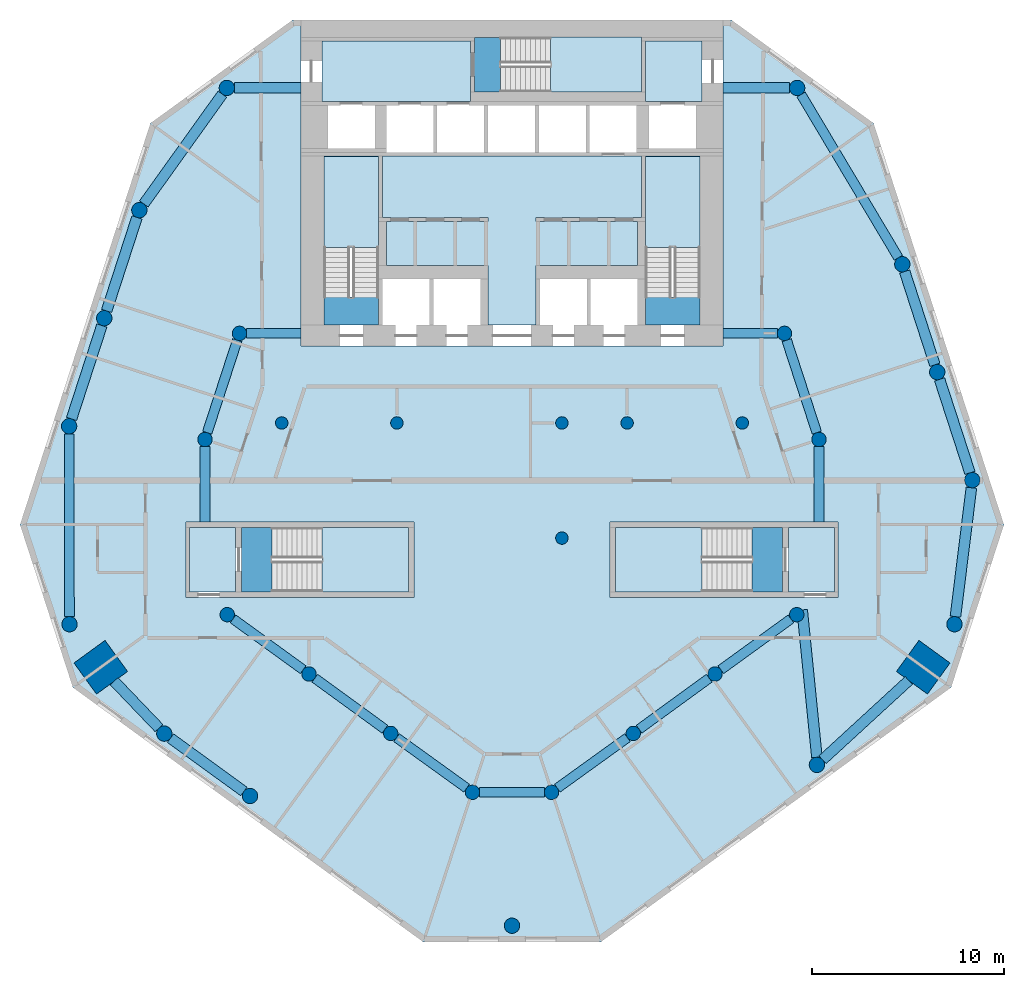
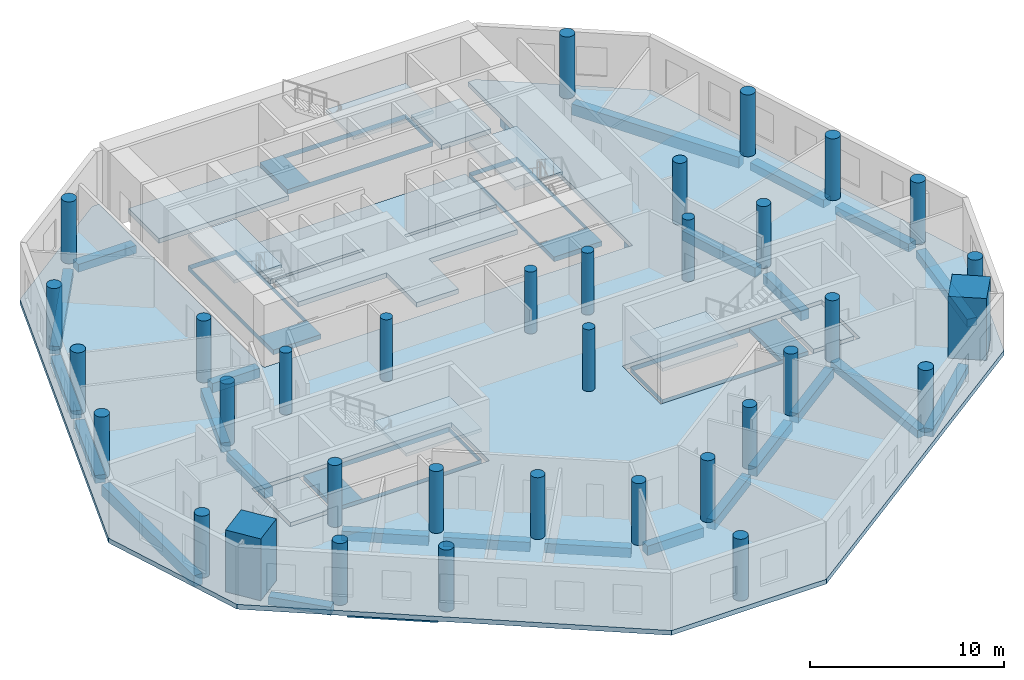
# One storey, part 1 of 9: 34 columns, 27 beams, 16 slabs, 5 elements without a shape of their own.
"""IFC4 building model written with IfcOpenShell, lengths in metres."""

from ifc_helpers import new_model, si_unit, direction, frame, origin, origin_2d, place, context, subcontext, project, spatial, polyline, rectangle, circle, outline, extrude, material, layer, layer_set, material_profile, profile_set, type_object, element, aggregate, save


model = new_model("IFC4")

# Units and contexts
model_context = context("Model", 3, precision=1e-05, world=origin(), true_north=direction((0.0, 1.0)))
body_context = subcontext(model_context, "Body", "Model", "MODEL_VIEW")
ifc_project = project(units=[si_unit("LENGTHUNIT", "METRE"), si_unit("AREAUNIT", "SQUARE_METRE"), si_unit("VOLUMEUNIT", "CUBIC_METRE"), si_unit("PLANEANGLEUNIT", "RADIAN"), si_unit("MASSUNIT", "GRAM", prefix="KILO")], contexts=[model_context])

# Site, building, storey
site_placement = place(None, origin())
site = spatial("IfcSite", under=ifc_project, at=site_placement, CompositionType="ELEMENT")
building_placement = place(site_placement, origin())
building = spatial("IfcBuilding", under=site, at=building_placement, Name="White Candle Pilgrim Tower", CompositionType="ELEMENT")
storey_placement = place(building_placement, frame((0.0, 0.0, 129.800048828125)))
storey = spatial("IfcBuildingStorey", under=building, at=storey_placement, Name="L29", CompositionType="ELEMENT", Elevation=129.800048828125)

# Columns
ifc_material_1 = material(Name="Concrete C80/95", Category="concrete")
ifc_material_profile_1 = material_profile(ifc_material_1, circle(Radius=0.324951171875, at=origin_2d()), Name="RC-COL D650")
ifc_profile_set_1 = profile_set([ifc_material_profile_1], Name="Concrete C80/95")
column_type_1 = type_object("IfcColumnType", Name="Interior column RC-COL D650 C80/95", PredefinedType="COLUMN", material=ifc_profile_set_1)
for number, where, z_axis, x_axis, name in (
    (1, (58.0, 67.0, 0.0), (0.0, 0.0, 1.0), (1.0, 0.0, 0.0), "L29 column I01"),
    (2, (64.0, 67.0, 0.0), (0.0, 0.0, 1.0), (1.0, 0.0, 0.0), "L29 column I02"),
    (3, (72.60009765625, 61.0, 0.0), (0.0, 0.0, 1.0), (1.0, 0.0, 0.0), "L29 column I03"),
    (4, (72.60009765625, 67.0, 0.0), (0.0, 0.0, 1.0), (1.0, 0.0, 0.0), "L29 column I04"),
    (5, (76.0, 67.0, 0.0), (0.0, 0.0, 1.0), (1.0, 0.0, 0.0), "L29 column I05"),
    (6, (82.0, 67.0, 0.0), (0.0, 0.0, 1.0), (1.0, 0.0, 0.0), "L29 column I06"),
):
    element("IfcColumn", number, at=place(storey_placement, frame(where, z_axis=z_axis, x_axis=x_axis)), inside=storey, type_object=column_type_1, Name=name, PredefinedType="COLUMN", context=body_context, shape_type="SweptSolid", body=[
        extrude(circle(Radius=0.324951171875, at=origin_2d()), origin(), (0.0, 0.0, 1.0), 3.89990234375),
    ])
ifc_material_profile_2 = material_profile(ifc_material_1, rectangle(XDim=2.0, YDim=2.0, at=origin_2d()), Name="RC 2000x2000")
ifc_profile_set_2 = profile_set([ifc_material_profile_2], Name="Concrete C80/95")
column_type_2 = type_object("IfcColumnType", Name="Mega column RC 2000x2000 C80/95", PredefinedType="COLUMN", material=ifc_profile_set_2)
for number, where, z_axis, x_axis, name in (
    (7, (48.570068359375, 54.27001953125, 0.0), (0.0, 0.0, 1.0), (-0.809016994375, -0.587785252292, 0.0), "L29 mega column T02"),
    (8, (91.429931640625, 54.27001953125, 0.0), (0.0, 0.0, 1.0), (0.809016994375, -0.587785252292, 0.0), "L29 mega column T07"),
):
    element("IfcColumn", number, at=place(storey_placement, frame(where, z_axis=z_axis, x_axis=x_axis)), inside=storey, type_object=column_type_2, Name=name, PredefinedType="COLUMN", context=body_context, shape_type="SweptSolid", body=[
        extrude(rectangle(XDim=2.0, YDim=2.0, at=origin_2d()), origin(), (0.0, 0.0, 1.0), 3.89990234375),
    ])
ifc_material_profile_3 = material_profile(ifc_material_1, circle(Radius=0.39990234375, at=origin_2d()), Name="RC-COL D800")
ifc_profile_set_3 = profile_set([ifc_material_profile_3], Name="Concrete C80/95")
column_type_3 = type_object("IfcColumnType", Name="Perimeter column RC-COL D800 C80/95", PredefinedType="COLUMN", material=ifc_profile_set_3)
for number, where, z_axis, x_axis, name in (
    (9, (46.93994140625, 56.510009765625, 0.0), (0.0, 0.0, 1.0), (1.0, 0.0, 0.0), "L29 column T01"),
    (10, (51.8798828125, 50.81005859375, 0.0), (0.0, 0.0, 1.0), (1.0, 0.0, 0.0), "L29 column T03"),
    (11, (56.35009765625, 47.56005859375, 0.0), (0.0, 0.0, 1.0), (1.0, 0.0, 0.0), "L29 column T04"),
    (12, (70.0, 40.800048828125, 0.0), (0.0, 0.0, 1.0), (1.0, 0.0, 0.0), "L29 column T05"),
    (13, (85.889892578125, 49.179931640625, 0.0), (0.0, 0.0, 1.0), (1.0, 0.0, 0.0), "L29 column T06"),
    (14, (93.06005859375, 56.510009765625, 0.0), (0.0, 0.0, 1.0), (1.0, 0.0, 0.0), "L29 column T08"),
    (15, (93.989990234375, 64.02001953125, 0.0), (0.0, 0.0, 1.0), (1.0, 0.0, 0.0), "L29 column T09"),
    (16, (92.159912109375, 69.64990234375, 0.0), (0.0, 0.0, 1.0), (1.0, 0.0, 0.0), "L29 column T10"),
    (17, (90.340087890625, 75.27001953125, 0.0), (0.0, 0.0, 1.0), (1.0, 0.0, 0.0), "L29 column T11"),
    (18, (84.860107421875, 84.4599609375, 0.0), (0.0, 0.0, 1.0), (1.0, 0.0, 0.0), "L29 column T12"),
    (19, (55.139892578125, 84.4599609375, 0.0), (0.0, 0.0, 1.0), (1.0, 0.0, 0.0), "L29 column T13"),
    (20, (50.580078125, 78.090087890625, 0.0), (0.0, 0.0, 1.0), (1.0, 0.0, 0.0), "L29 column T14"),
    (21, (48.75, 72.4599609375, 0.0), (0.0, 0.0, 1.0), (1.0, 0.0, 0.0), "L29 column T15"),
    (22, (46.919921875, 66.830078125, 0.0), (0.0, 0.0, 1.0), (1.0, 0.0, 0.0), "L29 column T16"),
):
    element("IfcColumn", number, at=place(storey_placement, frame(where, z_axis=z_axis, x_axis=x_axis)), inside=storey, type_object=column_type_3, Name=name, PredefinedType="COLUMN", context=body_context, shape_type="SweptSolid", body=[
        extrude(circle(Radius=0.39990234375, at=origin_2d()), origin(), (0.0, 0.0, 1.0), 3.89990234375),
    ])
ifc_material_profile_4 = material_profile(ifc_material_1, circle(Radius=0.375, at=origin_2d()), Name="RC-COL D750")
ifc_profile_set_4 = profile_set([ifc_material_profile_4], Name="Concrete C80/95")
column_type_4 = type_object("IfcColumnType", Name="Ring column RC-COL D750 C80/95", PredefinedType="COLUMN", material=ifc_profile_set_4)
for number, where, z_axis, x_axis, name in (
    (23, (55.159912109375, 57.010009765625, 0.0), (0.0, 0.0, 1.0), (1.0, 0.0, 0.0), "L29 column R01"),
    (24, (59.419921875, 53.919921875, 0.0), (0.0, 0.0, 1.0), (1.0, 0.0, 0.0), "L29 column R02"),
    (25, (63.679931640625, 50.820068359375, 0.0), (0.0, 0.0, 1.0), (1.0, 0.0, 0.0), "L29 column R03"),
    (26, (67.93994140625, 47.75, 0.0), (0.0, 0.0, 1.0), (1.0, 0.0, 0.0), "L29 column R04"),
    (27, (72.06005859375, 47.75, 0.0), (0.0, 0.0, 1.0), (1.0, 0.0, 0.0), "L29 column R05"),
    (28, (76.320068359375, 50.820068359375, 0.0), (0.0, 0.0, 1.0), (1.0, 0.0, 0.0), "L29 column R06"),
    (29, (80.580078125, 53.919921875, 0.0), (0.0, 0.0, 1.0), (1.0, 0.0, 0.0), "L29 column R07"),
    (30, (84.840087890625, 57.010009765625, 0.0), (0.0, 0.0, 1.0), (1.0, 0.0, 0.0), "L29 column R08"),
    (31, (86.0, 66.139892578125, 0.0), (0.0, 0.0, 1.0), (1.0, 0.0, 0.0), "L29 column R09"),
    (32, (84.199951171875, 71.669921875, 0.0), (0.0, 0.0, 1.0), (1.0, 0.0, 0.0), "L29 column R10"),
    (33, (55.800048828125, 71.669921875, 0.0), (0.0, 0.0, 1.0), (1.0, 0.0, 0.0), "L29 column R11"),
    (34, (54.0, 66.139892578125, 0.0), (0.0, 0.0, 1.0), (1.0, 0.0, 0.0), "L29 column R12"),
):
    element("IfcColumn", number, at=place(storey_placement, frame(where, z_axis=z_axis, x_axis=x_axis)), inside=storey, type_object=column_type_4, Name=name, PredefinedType="COLUMN", context=body_context, shape_type="SweptSolid", body=[
        extrude(circle(Radius=0.375, at=origin_2d()), origin(), (0.0, 0.0, 1.0), 3.89990234375),
    ])

# Beams
ifc_material_2 = material(Name="Concrete C50/60", Category="concrete")
ifc_material_profile_5 = material_profile(ifc_material_2, rectangle(XDim=0.5, YDim=0.60009765625, at=origin_2d()), Name="RC-BM 500x600")
ifc_profile_set_5 = profile_set([ifc_material_profile_5], Name="Concrete C50/60")
beam_type_1 = type_object("IfcBeamType", Name="Ring beam RC-BM 500x600 C50/60", PredefinedType="BEAM", material=ifc_profile_set_5)
beam_1_placement = place(storey_placement, frame((55.46337890625, 56.789794921875, -0.60009765625), z_axis=(0.809505029053, -0.587112943084, 0.0), x_axis=(0.587112943084, 0.809505029053, 0.0)))
element("IfcBeam", 35, at=beam_1_placement, inside=storey, type_object=beam_type_1, Name="L29 ring beam R01", PredefinedType="BEAM", context=body_context, shape_type="SweptSolid", body=[
    extrude(rectangle(XDim=0.5, YDim=0.60009765625, at=origin_2d()), origin(), (0.0, 0.0, 1.0), 4.512939453125),
])
beam_2_placement = place(storey_placement, frame((59.72314453125, 53.699462890625, -0.60009765625), z_axis=(0.808565500751, -0.588406178583, 0.0), x_axis=(0.588406178583, 0.808565500751, 0.0)))
element("IfcBeam", 36, at=beam_2_placement, inside=storey, type_object=beam_type_1, Name="L29 ring beam R02", PredefinedType="BEAM", context=body_context, shape_type="SweptSolid", body=[
    extrude(rectangle(XDim=0.5, YDim=0.60009765625, at=origin_2d()), origin(), (0.0, 0.0, 1.0), 4.518798828125),
])
beam_3_placement = place(storey_placement, frame((63.984130859375, 50.600830078125, -0.60009765625), z_axis=(0.811270905805, -0.584670434856, 0.0), x_axis=(0.584670434856, 0.811270905805, 0.0)))
element("IfcBeam", 37, at=beam_3_placement, inside=storey, type_object=beam_type_1, Name="L29 ring beam R03", PredefinedType="BEAM", context=body_context, shape_type="SweptSolid", body=[
    extrude(rectangle(XDim=0.5, YDim=0.60009765625, at=origin_2d()), origin(), (0.0, 0.0, 1.0), 4.50146484375),
])
beam_4_placement = place(storey_placement, frame((68.31494140625, 47.75, -0.60009765625), z_axis=(1.0, 0.0, 0.0), x_axis=(0.0, 1.0, 0.0)))
element("IfcBeam", 38, at=beam_4_placement, inside=storey, type_object=beam_type_1, Name="L29 ring beam R04", PredefinedType="BEAM", context=body_context, shape_type="SweptSolid", body=[
    extrude(rectangle(XDim=0.5, YDim=0.60009765625, at=origin_2d()), origin(), (0.0, 0.0, 1.0), 3.3701171875),
])
beam_5_placement = place(storey_placement, frame((72.364013671875, 47.968994140625, -0.60009765625), z_axis=(0.811270905805, 0.584670434856, 0.0), x_axis=(-0.584670434856, 0.811270905805, 0.0)))
element("IfcBeam", 39, at=beam_5_placement, inside=storey, type_object=beam_type_1, Name="L29 ring beam R05", PredefinedType="BEAM", context=body_context, shape_type="SweptSolid", body=[
    extrude(rectangle(XDim=0.5, YDim=0.60009765625, at=origin_2d()), origin(), (0.0, 0.0, 1.0), 4.50146484375),
])
beam_6_placement = place(storey_placement, frame((76.623046875, 51.04052734375, -0.60009765625), z_axis=(0.808565500751, 0.588406178583, 0.0), x_axis=(-0.588406178583, 0.808565500751, 0.0)))
element("IfcBeam", 40, at=beam_6_placement, inside=storey, type_object=beam_type_1, Name="L29 ring beam R06", PredefinedType="BEAM", context=body_context, shape_type="SweptSolid", body=[
    extrude(rectangle(XDim=0.5, YDim=0.60009765625, at=origin_2d()), origin(), (0.0, 0.0, 1.0), 4.518798828125),
])
beam_7_placement = place(storey_placement, frame((80.88330078125, 54.14013671875, -0.60009765625), z_axis=(0.809505029053, 0.587112943084, 0.0), x_axis=(-0.587112943084, 0.809505029053, 0.0)))
element("IfcBeam", 41, at=beam_7_placement, inside=storey, type_object=beam_type_1, Name="L29 ring beam R07", PredefinedType="BEAM", context=body_context, shape_type="SweptSolid", body=[
    extrude(rectangle(XDim=0.5, YDim=0.60009765625, at=origin_2d()), origin(), (0.0, 0.0, 1.0), 4.512939453125),
])
beam_8_placement = place(storey_placement, frame((86.0, 65.764892578125, -0.60009765625), z_axis=(0.0, -1.0, 0.0), x_axis=(1.0, 0.0, 0.0)))
element("IfcBeam", 42, at=beam_8_placement, inside=storey, type_object=beam_type_1, Name="L29 ring beam R08", PredefinedType="BEAM", context=body_context, shape_type="SweptSolid", body=[
    extrude(rectangle(XDim=0.5, YDim=0.60009765625, at=origin_2d()), origin(), (0.0, 0.0, 1.0), 3.914794921875),
])
beam_9_placement = place(storey_placement, frame((85.884033203125, 66.49658203125, -0.60009765625), z_axis=(-0.309554632353, 0.950881659087, 0.0), x_axis=(-0.950881659087, -0.309554632353, 0.0)))
element("IfcBeam", 43, at=beam_9_placement, inside=storey, type_object=beam_type_1, Name="L29 ring beam R09", PredefinedType="BEAM", context=body_context, shape_type="SweptSolid", body=[
    extrude(rectangle(XDim=0.5, YDim=0.60009765625, at=origin_2d()), origin(), (0.0, 0.0, 1.0), 5.065673828125),
])
for number, where, z_axis, x_axis, name in (
    (44, (83.824951171875, 71.669921875, -0.60009765625), (-1.0, 0.0, 0.0), (0.0, -1.0, 0.0), "L29 ring beam R10"),
    (45, (56.175048828125, 71.669921875, -0.60009765625), (1.0, 0.0, 0.0), (0.0, 1.0, 0.0), "L29 ring beam R11"),
):
    element("IfcBeam", number, at=place(storey_placement, frame(where, z_axis=z_axis, x_axis=x_axis)), inside=storey, type_object=beam_type_1, Name=name, PredefinedType="BEAM", context=body_context, shape_type="SweptSolid", body=[
        extrude(rectangle(XDim=0.5, YDim=0.60009765625, at=origin_2d()), origin(), (0.0, 0.0, 1.0), 2.824951171875),
    ])
beam_10_placement = place(storey_placement, frame((55.68408203125, 71.3134765625, -0.60009765625), z_axis=(-0.309554632353, -0.950881659087, 0.0), x_axis=(0.950881659087, -0.309554632353, 0.0)))
element("IfcBeam", 46, at=beam_10_placement, inside=storey, type_object=beam_type_1, Name="L29 ring beam R12", PredefinedType="BEAM", context=body_context, shape_type="SweptSolid", body=[
    extrude(rectangle(XDim=0.5, YDim=0.60009765625, at=origin_2d()), origin(), (0.0, 0.0, 1.0), 5.065673828125),
])
beam_11_placement = place(storey_placement, frame((54.0, 65.764892578125, -0.60009765625), z_axis=(0.0, -1.0, 0.0), x_axis=(1.0, 0.0, 0.0)))
element("IfcBeam", 47, at=beam_11_placement, inside=storey, type_object=beam_type_1, Name="L29 ring beam R13", PredefinedType="BEAM", context=body_context, shape_type="SweptSolid", body=[
    extrude(rectangle(XDim=0.5, YDim=0.60009765625, at=origin_2d()), origin(), (0.0, 0.0, 1.0), 3.914794921875),
])
ifc_material_profile_6 = material_profile(ifc_material_2, rectangle(XDim=0.5, YDim=0.699951171875, at=origin_2d()), Name="RC-BM 500x700")
ifc_profile_set_6 = profile_set([ifc_material_profile_6], Name="Concrete C50/60")
beam_type_2 = type_object("IfcBeamType", Name="Spandrel beam RC-BM 500x700 C50/60", PredefinedType="BEAM", material=ifc_profile_set_6)
beam_12_placement = place(storey_placement, frame((90.13525390625, 75.61328125, -0.650146484375), z_axis=(-0.51215480768, 0.858893155736, 0.0), x_axis=(-0.858893155736, -0.51215480768, 0.0)))
element("IfcBeam", 48, at=beam_12_placement, inside=storey, type_object=beam_type_2, Name="L29 spandrel beam T08", PredefinedType="BEAM", context=body_context, shape_type="SweptSolid", body=[
    extrude(rectangle(XDim=0.5, YDim=0.699951171875, at=origin_2d()), origin(), (0.0, 0.0, 1.0), 9.900390625),
])
beam_13_placement = place(storey_placement, frame((46.9208984375, 66.429931640625, -0.650146484375), z_axis=(0.001923369269, -0.999998150324, 0.0), x_axis=(0.999998150324, 0.001923369269, 0.0)))
element("IfcBeam", 49, at=beam_13_placement, inside=storey, type_object=beam_type_2, Name="L29 spandrel beam T14", PredefinedType="BEAM", context=body_context, shape_type="SweptSolid", body=[
    extrude(rectangle(XDim=0.5, YDim=0.699951171875, at=origin_2d()), origin(), (0.0, 0.0, 1.0), 9.52001953125),
])
ifc_material_profile_7 = material_profile(ifc_material_2, rectangle(XDim=0.550048828125, YDim=0.5, at=origin_2d()), Name="RC-BM 550x500")
ifc_profile_set_7 = profile_set([ifc_material_profile_7], Name="Concrete C50/60")
beam_type_3 = type_object("IfcBeamType", Name="Spandrel beam RC-BM 550x500 C50/60", PredefinedType="BEAM", material=ifc_profile_set_7)
beam_14_placement = place(storey_placement, frame((49.267578125, 53.540771484375, -0.550048828125), z_axis=(0.6912554522, -0.722610475847, 0.0), x_axis=(0.722610475847, 0.6912554522, 0.0)))
element("IfcBeam", 50, at=beam_14_placement, inside=storey, type_object=beam_type_3, Name="L29 spandrel beam T01", PredefinedType="BEAM", context=body_context, shape_type="SweptSolid", body=[
    extrude(rectangle(XDim=0.550048828125, YDim=0.5, at=origin_2d()), origin(), (0.0, 0.0, 1.0), 3.379150390625),
])
beam_15_placement = place(storey_placement, frame((52.203369140625, 50.574951171875, -0.550048828125), z_axis=(0.808812014489, -0.5880672795, 0.0), x_axis=(0.5880672795, 0.808812014489, 0.0)))
element("IfcBeam", 51, at=beam_15_placement, inside=storey, type_object=beam_type_3, Name="L29 spandrel beam T02", PredefinedType="BEAM", context=body_context, shape_type="SweptSolid", body=[
    extrude(rectangle(XDim=0.550048828125, YDim=0.5, at=origin_2d()), origin(), (0.0, 0.0, 1.0), 4.72705078125),
])
beam_16_placement = place(storey_placement, frame((85.889892578125, 49.580078125, -0.550048828125), z_axis=(-0.099547579937, 0.995032803142, 0.0), x_axis=(-0.995032803142, -0.099547579937, 0.0)))
element("IfcBeam", 52, at=beam_16_placement, inside=storey, type_object=beam_type_3, Name="L29 spandrel beam T03", PredefinedType="BEAM", context=body_context, shape_type="SweptSolid", body=[
    extrude(rectangle(XDim=0.550048828125, YDim=0.5, at=origin_2d()), origin(), (0.0, 0.0, 1.0), 7.715576171875),
])
beam_17_placement = place(storey_placement, frame((86.184326171875, 49.450439453125, -0.550048828125), z_axis=(0.736374917929, 0.67657370644, 0.0), x_axis=(-0.67657370644, 0.736374917929, 0.0)))
element("IfcBeam", 53, at=beam_17_placement, inside=storey, type_object=beam_type_3, Name="L29 spandrel beam T04", PredefinedType="BEAM", context=body_context, shape_type="SweptSolid", body=[
    extrude(rectangle(XDim=0.550048828125, YDim=0.5, at=origin_2d()), origin(), (0.0, 0.0, 1.0), 6.103271484375),
])
beam_18_placement = place(storey_placement, frame((93.109130859375, 56.906982421875, -0.550048828125), z_axis=(0.122911300598, 0.992417660154, 0.0), x_axis=(-0.992417660154, 0.122911300598, 0.0)))
element("IfcBeam", 54, at=beam_18_placement, inside=storey, type_object=beam_type_3, Name="L29 spandrel beam T05", PredefinedType="BEAM", context=body_context, shape_type="SweptSolid", body=[
    extrude(rectangle(XDim=0.550048828125, YDim=0.5, at=origin_2d()), origin(), (0.0, 0.0, 1.0), 6.767333984375),
])
beam_19_placement = place(storey_placement, frame((93.866455078125, 64.400390625, -0.550048828125), z_axis=(-0.309123808161, 0.95102180376, 0.0), x_axis=(-0.95102180376, -0.309123808161, 0.0)))
element("IfcBeam", 55, at=beam_19_placement, inside=storey, type_object=beam_type_3, Name="L29 spandrel beam T06", PredefinedType="BEAM", context=body_context, shape_type="SweptSolid", body=[
    extrude(rectangle(XDim=0.550048828125, YDim=0.5, at=origin_2d()), origin(), (0.0, 0.0, 1.0), 5.1201171875),
])
beam_20_placement = place(storey_placement, frame((92.036865234375, 70.030517578125, -0.550048828125), z_axis=(-0.308114253226, 0.951349361149, 0.0), x_axis=(-0.951349361149, -0.308114253226, 0.0)))
element("IfcBeam", 56, at=beam_20_placement, inside=storey, type_object=beam_type_3, Name="L29 spandrel beam T07", PredefinedType="BEAM", context=body_context, shape_type="SweptSolid", body=[
    extrude(rectangle(XDim=0.550048828125, YDim=0.5, at=origin_2d()), origin(), (0.0, 0.0, 1.0), 5.107666015625),
])
for number, where, z_axis, x_axis, name in (
    (57, (84.4599609375, 84.4599609375, -0.550048828125), (-1.0, 0.0, 0.0), (0.0, -1.0, 0.0), "L29 spandrel beam T09"),
    (58, (55.5400390625, 84.4599609375, -0.550048828125), (1.0, 0.0, 0.0), (0.0, 1.0, 0.0), "L29 spandrel beam T10"),
):
    element("IfcBeam", number, at=place(storey_placement, frame(where, z_axis=z_axis, x_axis=x_axis)), inside=storey, type_object=beam_type_3, Name=name, PredefinedType="BEAM", context=body_context, shape_type="SweptSolid", body=[
        extrude(rectangle(XDim=0.550048828125, YDim=0.5, at=origin_2d()), origin(), (0.0, 0.0, 1.0), 3.4599609375),
    ])
beam_21_placement = place(storey_placement, frame((54.9072265625, 84.135009765625, -0.550048828125), z_axis=(-0.582065224797, -0.813142099563, 0.0), x_axis=(0.813142099563, -0.582065224797, 0.0)))
element("IfcBeam", 59, at=beam_21_placement, inside=storey, type_object=beam_type_3, Name="L29 spandrel beam T11", PredefinedType="BEAM", context=body_context, shape_type="SweptSolid", body=[
    extrude(rectangle(XDim=0.550048828125, YDim=0.5, at=origin_2d()), origin(), (0.0, 0.0, 1.0), 7.034423828125),
])
for number, where, z_axis, x_axis, name in (
    (60, (50.456298828125, 77.709716796875, -0.550048828125), (-0.309123808161, -0.95102180376, 0.0), (0.95102180376, -0.309123808161, 0.0), "L29 spandrel beam T12"),
    (61, (48.62646484375, 72.07958984375, -0.550048828125), (-0.309123808161, -0.95102180376, 0.0), (0.95102180376, -0.309123808161, 0.0), "L29 spandrel beam T13"),
):
    element("IfcBeam", number, at=place(storey_placement, frame(where, z_axis=z_axis, x_axis=x_axis)), inside=storey, type_object=beam_type_3, Name=name, PredefinedType="BEAM", context=body_context, shape_type="SweptSolid", body=[
        extrude(rectangle(XDim=0.550048828125, YDim=0.5, at=origin_2d()), origin(), (0.0, 0.0, 1.0), 5.1201171875),
    ])

# Slabs
ifc_material_3 = material(Name="Concrete C40/50", Category="concrete")
ifc_layer_1 = layer(ifc_material_3, 0.300048828125)
ifc_layer_set_1 = layer_set([ifc_layer_1], Name="Core floor slab 300 mm Concrete C40/50")
slab_type_1 = type_object("IfcSlabType", Name="Core floor slab 300 mm Concrete C40/50", PredefinedType="FLOOR", material=ifc_layer_set_1)
slab_1_placement = place(storey_placement, frame((0.0, 0.0, -0.300048828125)))
element("IfcSlab", 62, at=slab_1_placement, inside=storey, type_object=slab_type_1, Name="CF-L29-01", PredefinedType="FLOOR", context=body_context, shape_type="SweptSolid", body=[
    extrude(outline(polyline([(55.60009765625, 58.199951171875), (53.199951171875, 58.199951171875), (53.199951171875, 61.550048828125), (55.60009765625, 61.550048828125), (55.60009765625, 58.199951171875)])), origin(), (0.0, 0.0, 1.0), 0.300048828125),
])
slab_2_placement = place(storey_placement, frame((0.0, 0.0, -0.300048828125)))
element("IfcSlab", 63, at=slab_2_placement, inside=storey, type_object=slab_type_1, Name="CF-L29-02", PredefinedType="FLOOR", context=body_context, shape_type="SweptSolid", body=[
    extrude(outline(polyline([(55.89990234375, 58.199951171875), (55.89990234375, 61.550048828125), (64.60009765625, 61.550048828125), (64.60009765625, 58.199951171875), (55.89990234375, 58.199951171875)]), holes=[polyline([(57.501953125, 61.548095703125), (57.501953125, 58.201904296875), (64.597900390625, 58.201904296875), (64.597900390625, 61.548095703125), (57.501953125, 61.548095703125)])]), origin(), (0.0, 0.0, 1.0), 0.300048828125),
])
slab_3_placement = place(storey_placement, frame((0.0, 0.0, -0.300048828125)))
element("IfcSlab", 64, at=slab_3_placement, inside=storey, type_object=slab_type_1, Name="CF-L29-03", PredefinedType="FLOOR", context=body_context, shape_type="SweptSolid", body=[
    extrude(outline(polyline([(75.39990234375, 58.199951171875), (75.39990234375, 61.550048828125), (84.10009765625, 61.550048828125), (84.10009765625, 58.199951171875), (75.39990234375, 58.199951171875)]), holes=[polyline([(82.498046875, 58.201904296875), (82.498046875, 61.548095703125), (75.402099609375, 61.548095703125), (75.402099609375, 58.201904296875), (82.498046875, 58.201904296875)])]), origin(), (0.0, 0.0, 1.0), 0.300048828125),
])
slab_4_placement = place(storey_placement, frame((0.0, 0.0, -0.300048828125)))
element("IfcSlab", 65, at=slab_4_placement, inside=storey, type_object=slab_type_1, Name="CF-L29-04", PredefinedType="FLOOR", context=body_context, shape_type="SweptSolid", body=[
    extrude(outline(polyline([(86.800048828125, 58.199951171875), (84.39990234375, 58.199951171875), (84.39990234375, 61.550048828125), (86.800048828125, 61.550048828125), (86.800048828125, 58.199951171875)])), origin(), (0.0, 0.0, 1.0), 0.300048828125),
])
slab_5_placement = place(storey_placement, frame((0.0, 0.0, -0.300048828125)))
element("IfcSlab", 66, at=slab_5_placement, inside=storey, type_object=slab_type_1, Name="CF-L29-05", PredefinedType="FLOOR", context=body_context, shape_type="SweptSolid", body=[
    extrude(outline(polyline([(76.75, 87.10009765625), (76.75, 86.89990234375), (76.75, 84.25), (68.050048828125, 84.25), (68.050048828125, 86.89990234375), (68.050048828125, 87.10009765625), (76.75, 87.10009765625)]), holes=[polyline([(69.402099609375, 87.097900390625), (69.402099609375, 84.251953125), (76.748046875, 84.251953125), (76.748046875, 87.097900390625), (69.402099609375, 87.097900390625)])]), origin(), (0.0, 0.0, 1.0), 0.300048828125),
])
slab_6_placement = place(storey_placement, frame((0.0, 0.0, -0.300048828125)))
element("IfcSlab", 67, at=slab_6_placement, inside=storey, type_object=slab_type_1, Name="CF-L29-06", PredefinedType="FLOOR", context=body_context, shape_type="SweptSolid", body=[
    extrude(outline(polyline([(79.89990234375, 86.89990234375), (79.89990234375, 83.75), (76.949951171875, 83.75), (76.949951171875, 84.25), (76.949951171875, 86.89990234375), (79.89990234375, 86.89990234375)])), origin(), (0.0, 0.0, 1.0), 0.300048828125),
])
slab_7_placement = place(storey_placement, frame((0.0, 0.0, -0.300048828125)))
element("IfcSlab", 68, at=slab_7_placement, inside=storey, type_object=slab_type_1, Name="CF-L29-07", PredefinedType="FLOOR", context=body_context, shape_type="SweptSolid", body=[
    extrude(outline(polyline([(76.949951171875, 72.10009765625), (76.949951171875, 74.5), (76.949951171875, 75.199951171875), (76.949951171875, 77.5), (76.949951171875, 77.699951171875), (76.949951171875, 80.89990234375), (79.800048828125, 80.89990234375), (79.800048828125, 72.10009765625), (76.949951171875, 72.10009765625)]), holes=[polyline([(76.951904296875, 73.552001953125), (79.798095703125, 73.552001953125), (79.798095703125, 80.89794921875), (76.951904296875, 80.89794921875), (76.951904296875, 73.552001953125)])]), origin(), (0.0, 0.0, 1.0), 0.300048828125),
])
slab_8_placement = place(storey_placement, frame((0.0, 0.0, -0.300048828125)))
element("IfcSlab", 69, at=slab_8_placement, inside=storey, type_object=slab_type_1, Name="CF-L29-08", PredefinedType="FLOOR", context=body_context, shape_type="SweptSolid", body=[
    extrude(outline(polyline([(68.75, 72.10009765625), (68.75, 74.5), (68.75, 75.199951171875), (63.449951171875, 75.199951171875), (63.449951171875, 77.5), (68.75, 77.5), (68.75, 77.699951171875), (63.25, 77.699951171875), (63.25, 80.89990234375), (76.75, 80.89990234375), (76.75, 77.699951171875), (71.25, 77.699951171875), (71.25, 77.5), (76.550048828125, 77.5), (76.550048828125, 75.199951171875), (71.25, 75.199951171875), (71.25, 74.5), (71.25, 72.10009765625), (68.75, 72.10009765625)])), origin(), (0.0, 0.0, 1.0), 0.300048828125),
])
slab_9_placement = place(storey_placement, frame((0.0, 0.0, -0.300048828125)))
element("IfcSlab", 70, at=slab_9_placement, inside=storey, type_object=slab_type_1, Name="CF-L29-09", PredefinedType="FLOOR", context=body_context, shape_type="SweptSolid", body=[
    extrude(outline(polyline([(60.199951171875, 72.10009765625), (60.199951171875, 80.89990234375), (63.050048828125, 80.89990234375), (63.050048828125, 77.699951171875), (63.050048828125, 77.5), (63.050048828125, 75.199951171875), (63.050048828125, 74.5), (63.050048828125, 72.10009765625), (60.199951171875, 72.10009765625)]), holes=[polyline([(60.201904296875, 73.552001953125), (63.048095703125, 73.552001953125), (63.048095703125, 80.89794921875), (60.201904296875, 80.89794921875), (60.201904296875, 73.552001953125)])]), origin(), (0.0, 0.0, 1.0), 0.300048828125),
])
slab_10_placement = place(storey_placement, frame((0.0, 0.0, -0.300048828125)))
element("IfcSlab", 71, at=slab_10_placement, inside=storey, type_object=slab_type_1, Name="CF-L29-10", PredefinedType="FLOOR", context=body_context, shape_type="SweptSolid", body=[
    extrude(outline(polyline([(60.10009765625, 86.89990234375), (67.85009765625, 86.89990234375), (67.85009765625, 84.25), (67.85009765625, 83.75), (60.10009765625, 83.75), (60.10009765625, 86.89990234375)])), origin(), (0.0, 0.0, 1.0), 0.300048828125),
])
ifc_layer_2 = layer(ifc_material_3, 0.300048828125)
ifc_layer_set_2 = layer_set([ifc_layer_2], Name="Floor slab 300 REI 120")
slab_type_2 = type_object("IfcSlabType", Name="Floor slab 300 REI 120", PredefinedType="FLOOR", material=ifc_layer_set_2)
slab_11_placement = place(storey_placement, frame((0.0, 0.0, -0.300048828125)))
element("IfcSlab", 72, at=slab_11_placement, inside=storey, type_object=slab_type_2, Name="L29 floor slab", PredefinedType="FLOOR", context=body_context, shape_type="SweptSolid", body=[
    extrude(outline(polyline([(65.3798828125, 39.94677734375), (74.6201171875, 39.94677734375), (92.8837890625, 53.216064453125), (95.639892578125, 61.69921875), (88.842529296875, 82.619384765625), (81.43701171875, 88.0), (81.0, 88.0), (81.0, 71.0), (59.0, 71.0), (59.0, 88.0), (58.56298828125, 88.0), (51.157470703125, 82.619384765625), (44.360107421875, 61.69921875), (47.1162109375, 53.216064453125), (65.3798828125, 39.94677734375)]), holes=[polyline([(53.0, 57.89990234375), (53.0, 61.85009765625), (64.89990234375, 61.85009765625), (64.89990234375, 57.89990234375), (53.0, 57.89990234375)]), polyline([(75.10009765625, 57.89990234375), (75.10009765625, 61.85009765625), (87.0, 61.85009765625), (87.0, 57.89990234375), (75.10009765625, 57.89990234375)])]), origin(), (0.0, 0.0, 1.0), 0.300048828125),
])

# Stair, slab
stair_type_1 = type_object("IfcStairType", Name="Exit stair 1 flight width 1350 mm", PredefinedType="HALF_TURN_STAIR", material=ifc_material_3)
stair_1_placement = place(storey_placement, origin())
stair_1 = element("IfcStair", 73, at=stair_1_placement, inside=storey, type_object=stair_type_1, Name="L29 stair 1", PredefinedType="NOTDEFINED")
ifc_layer_3 = layer(ifc_material_3, 0.199951171875)
ifc_layer_set_3 = layer_set([ifc_layer_3], Name="Stair landing Concrete C40/50")
slab_type_3 = type_object("IfcSlabType", Name="Stair landing Concrete C40/50", PredefinedType="LANDING", material=ifc_layer_set_3)
slab_12_placement = place(storey_placement, frame((0.0, 0.0, 1.75)))
slab_12 = element("IfcSlab", 74, at=slab_12_placement, type_object=slab_type_3, Name="ST1 landing 1", PredefinedType="LANDING", context=body_context, shape_type="SweptSolid", body=[
    extrude(outline(polyline([(63.052001953125, 76.14794921875), (60.197998046875, 76.14794921875), (60.197998046875, 80.902099609375), (63.052001953125, 80.902099609375), (63.052001953125, 76.14794921875)])), origin(), (0.0, 0.0, 1.0), 0.199951171875),
])
aggregate(stair_1, [slab_12])

stair_type_2 = type_object("IfcStairType", Name="Exit stair 2 flight width 1350 mm", PredefinedType="HALF_TURN_STAIR", material=ifc_material_3)
stair_2_placement = place(storey_placement, origin())
stair_2 = element("IfcStair", 75, at=stair_2_placement, inside=storey, type_object=stair_type_2, Name="L29 stair 2", PredefinedType="NOTDEFINED")
slab_13_placement = place(storey_placement, frame((0.0, 0.0, 1.75)))
slab_13 = element("IfcSlab", 76, at=slab_13_placement, type_object=slab_type_3, Name="ST2 landing 1", PredefinedType="LANDING", context=body_context, shape_type="SweptSolid", body=[
    extrude(outline(polyline([(79.802001953125, 76.14794921875), (76.947998046875, 76.14794921875), (76.947998046875, 80.902099609375), (79.802001953125, 80.902099609375), (79.802001953125, 76.14794921875)])), origin(), (0.0, 0.0, 1.0), 0.199951171875),
])
aggregate(stair_2, [slab_13])

stair_type_3 = type_object("IfcStairType", Name="Exit stair 3 flight width 1350 mm", PredefinedType="HALF_TURN_STAIR", material=ifc_material_3)
stair_3_placement = place(storey_placement, origin())
stair_3 = element("IfcStair", 77, at=stair_3_placement, inside=storey, type_object=stair_type_3, Name="L29 stair 3", PredefinedType="NOTDEFINED")
slab_14_placement = place(storey_placement, frame((0.0, 0.0, 1.75)))
slab_14 = element("IfcSlab", 78, at=slab_14_placement, type_object=slab_type_3, Name="ST3 landing 1", PredefinedType="LANDING", context=body_context, shape_type="SweptSolid", body=[
    extrude(outline(polyline([(71.998046875, 84.248046875), (71.998046875, 87.10205078125), (76.751953125, 87.10205078125), (76.751953125, 84.248046875), (71.998046875, 84.248046875)])), origin(), (0.0, 0.0, 1.0), 0.199951171875),
])
aggregate(stair_3, [slab_14])

stair_type_4 = type_object("IfcStairType", Name="Exit stair 4 flight width 1600 mm", PredefinedType="HALF_TURN_STAIR", material=ifc_material_3)
stair_4_placement = place(storey_placement, origin())
stair_4 = element("IfcStair", 79, at=stair_4_placement, inside=storey, type_object=stair_type_4, Name="L29 stair 4", PredefinedType="NOTDEFINED")
slab_15_placement = place(storey_placement, frame((0.0, 0.0, 1.75)))
slab_15 = element("IfcSlab", 80, at=slab_15_placement, type_object=slab_type_3, Name="ST4 landing 1", PredefinedType="LANDING", context=body_context, shape_type="SweptSolid", body=[
    extrude(outline(polyline([(79.902099609375, 61.552001953125), (79.902099609375, 58.197998046875), (75.39794921875, 58.197998046875), (75.39794921875, 61.552001953125), (79.902099609375, 61.552001953125)])), origin(), (0.0, 0.0, 1.0), 0.199951171875),
])
aggregate(stair_4, [slab_15])

stair_type_5 = type_object("IfcStairType", Name="Exit stair 5 flight width 1600 mm", PredefinedType="HALF_TURN_STAIR", material=ifc_material_3)
stair_5_placement = place(storey_placement, origin())
stair_5 = element("IfcStair", 81, at=stair_5_placement, inside=storey, type_object=stair_type_5, Name="L29 stair 5", PredefinedType="NOTDEFINED")
slab_16_placement = place(storey_placement, frame((0.0, 0.0, 1.75)))
slab_16 = element("IfcSlab", 82, at=slab_16_placement, type_object=slab_type_3, Name="ST5 landing 1", PredefinedType="LANDING", context=body_context, shape_type="SweptSolid", body=[
    extrude(outline(polyline([(60.097900390625, 58.197998046875), (60.097900390625, 61.552001953125), (64.60205078125, 61.552001953125), (64.60205078125, 58.197998046875), (60.097900390625, 58.197998046875)])), origin(), (0.0, 0.0, 1.0), 0.199951171875),
])
aggregate(stair_5, [slab_16])

save(model, "model.ifc")
